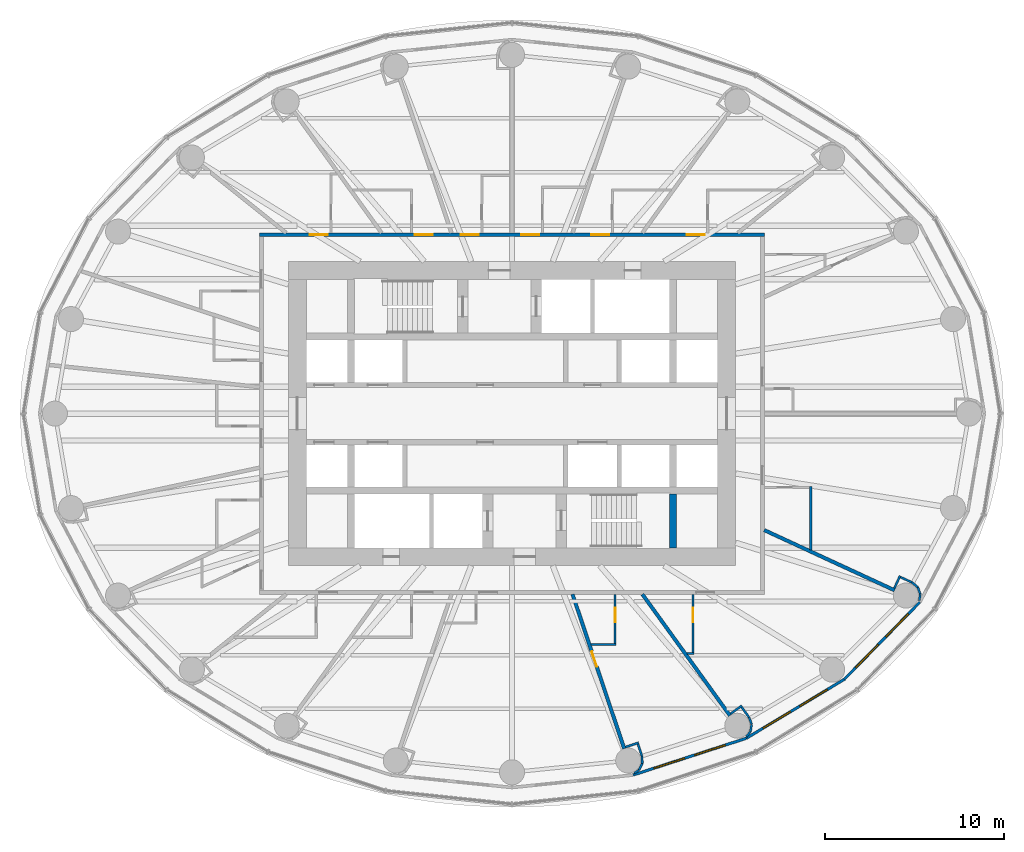
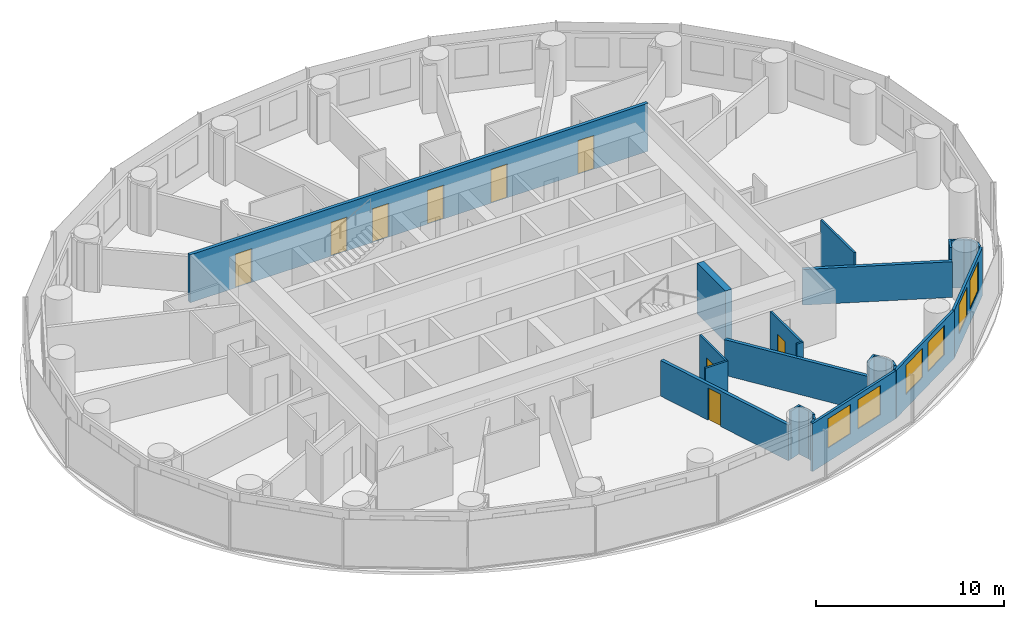
# One storey, part 9 of 13: 28 walls, 9 doors, 6 windows, 15 openings.
"""IFC4 building model written with IfcOpenShell, lengths in metres."""

from ifc_helpers import new_model, si_unit, direction, frame, frame_2d, origin, place, context, subcontext, project, spatial, rectangle, extrude, material, layer, layer_set, type_object, element, fill, save


model = new_model("IFC4")

# Units and contexts
model_context = context("Model", 3, precision=1e-05, world=origin(), true_north=direction((0.0, 1.0)))
body_context = subcontext(model_context, "Body", "Model", "MODEL_VIEW")
ifc_project = project(units=[si_unit("LENGTHUNIT", "METRE"), si_unit("AREAUNIT", "SQUARE_METRE"), si_unit("VOLUMEUNIT", "CUBIC_METRE"), si_unit("PLANEANGLEUNIT", "RADIAN"), si_unit("MASSUNIT", "GRAM", prefix="KILO")], contexts=[model_context])

# Site, building, storey
site_placement = place(None, origin())
site = spatial("IfcSite", under=ifc_project, at=site_placement, CompositionType="ELEMENT")
building_placement = place(site_placement, origin())
building = spatial("IfcBuilding", under=site, at=building_placement, Name="Hankou Lantern Tower", CompositionType="ELEMENT")
storey_placement = place(building_placement, frame((0.0, 0.0, 83.699951171875)))
storey = spatial("IfcBuildingStorey", under=building, at=storey_placement, Name="L21", CompositionType="ELEMENT", Elevation=83.699951171875)

# Wall
ifc_material_1 = material(Name="Concrete C60", Category="concrete")
ifc_layer_1 = layer(ifc_material_1, 0.39990234375)
ifc_layer_set_1 = layer_set([ifc_layer_1], Name="Concrete C60")
wall_type_1 = type_object("IfcWallType", Name="CW4 CORE CROSS WALL 400", PredefinedType="SHEAR", material=ifc_layer_set_1)
wall_1_placement = place(storey_placement, frame((9.0, -7.5, 0.0), z_axis=(0.0, 0.0, 1.0), x_axis=(0.0, 1.0, 0.0)))
element("IfcWall", 1, at=wall_1_placement, inside=storey, type_object=wall_type_1, Name="Core strip wall L21", PredefinedType="SHEAR", context=body_context, shape_type="SweptSolid", body=[
    extrude(rectangle(XDim=3.0, YDim=0.39990234375, at=frame_2d((1.5, 0.0))), origin(), (0.0, 0.0, 1.0), 3.300048828125),
])

# Wall, openings, windows
ifc_material_2 = material(Name="Aluminium spandrel panel on steel studs", Category="steel")
ifc_layer_2 = layer(ifc_material_2, 0.14990234375)
ifc_layer_set_2 = layer_set([ifc_layer_2], Name="Aluminium spandrel panel on steel studs")
wall_type_2 = type_object("IfcWallType", Name="EW1 INNER SKIN WALL 150", PredefinedType="ELEMENTEDWALL", material=ifc_layer_set_2)
wall_2_placement = place(storey_placement, frame((6.766357421875, -20.201904296875, 0.0), z_axis=(0.0, 0.0, 1.0), x_axis=(0.951137534625, 0.308767534285, 0.0)))
wall_2 = element("IfcWall", 2, at=wall_2_placement, inside=storey, type_object=wall_type_2, Name="Inner skin R20-R21 L21", PredefinedType="ELEMENTEDWALL", context=body_context, shape_type="SweptSolid", body=[
    extrude(rectangle(XDim=6.6552734375, YDim=0.14990234375, at=frame_2d((3.32763671875, 0.0))), origin(), (0.0, 0.0, 1.0), 3.1201171875),
])
opening_1_placement = place(wall_2_placement, frame((1.2275390625, 0.0, 0.89990234375)))
opening_1 = element("IfcOpeningElement", 3, at=opening_1_placement, cuts=wall_2, Name="Opening W1", PredefinedType="OPENING", context=body_context, shape_type="SweptSolid", body=[
    extrude(rectangle(XDim=1.800048828125, YDim=1.89990234375, at=frame_2d((0.89990234375, 0.949951171875))), frame((0.0, 0.0849609375, 0.0), z_axis=(0.0, -1.0, 0.0), x_axis=(1.0, 0.0, 0.0)), (0.0, 0.0, 1.0), 0.169921875),
])
opening_2_placement = place(wall_2_placement, frame((3.627685546875, 0.0, 0.89990234375)))
opening_2 = element("IfcOpeningElement", 4, at=opening_2_placement, cuts=wall_2, Name="Opening W1", PredefinedType="OPENING", context=body_context, shape_type="SweptSolid", body=[
    extrude(rectangle(XDim=1.800048828125, YDim=1.89990234375, at=frame_2d((0.89990234375, 0.949951171875))), frame((0.0, 0.0849609375, 0.0), z_axis=(0.0, -1.0, 0.0), x_axis=(1.0, 0.0, 0.0)), (0.0, 0.0, 1.0), 0.169921875),
])
ifc_material_3 = material(Name="Aluminium framed double glazed window", Category="aluminium")
window_type = type_object("IfcWindowType", Name="W1 GUEST ROOM WINDOW 1800X1900", PartitioningType="DOUBLE_PANEL_VERTICAL", PredefinedType="WINDOW", material=ifc_material_3)
window_1_placement = place(opening_1_placement, origin())
window_1 = element("IfcWindow", 5, at=window_1_placement, inside=storey, type_object=window_type, Name="Window R20.1 L21", OverallHeight=1.89990234375, OverallWidth=1.800048828125, PartitioningType="SINGLE_PANEL", PredefinedType="WINDOW", context=body_context, shape_type="SweptSolid", body=[
    extrude(rectangle(XDim=1.800048828125, YDim=1.89990234375, at=frame_2d((0.89990234375, 0.949951171875))), frame((0.0, 0.030029296875, 0.0), z_axis=(0.0, -1.0, 0.0), x_axis=(1.0, 0.0, 0.0)), (0.0, 0.0, 1.0), 0.06005859375),
])
fill(opening_1, window_1)
window_2_placement = place(opening_2_placement, origin())
window_2 = element("IfcWindow", 6, at=window_2_placement, inside=storey, type_object=window_type, Name="Window R20.2 L21", OverallHeight=1.89990234375, OverallWidth=1.800048828125, PartitioningType="SINGLE_PANEL", PredefinedType="WINDOW", context=body_context, shape_type="SweptSolid", body=[
    extrude(rectangle(XDim=1.800048828125, YDim=1.89990234375, at=frame_2d((0.89990234375, 0.949951171875))), frame((0.0, 0.030029296875, 0.0), z_axis=(0.0, -1.0, 0.0), x_axis=(1.0, 0.0, 0.0)), (0.0, 0.0, 1.0), 0.06005859375),
])
fill(opening_2, window_2)

wall_3_placement = place(storey_placement, frame((13.096435546875, -18.14697265625, 0.0), z_axis=(0.0, 0.0, 1.0), x_axis=(0.856983180864, 0.515344377787, 0.0)))
wall_3 = element("IfcWall", 7, at=wall_3_placement, inside=storey, type_object=wall_type_2, Name="Inner skin R21-R22 L21", PredefinedType="ELEMENTEDWALL", context=body_context, shape_type="SweptSolid", body=[
    extrude(rectangle(XDim=6.386474609375, YDim=0.14990234375, at=frame_2d((3.193359375, 0.0))), origin(), (0.0, 0.0, 1.0), 3.1201171875),
])
opening_3_placement = place(wall_3_placement, frame((1.09326171875, 0.0, 0.89990234375)))
opening_3 = element("IfcOpeningElement", 8, at=opening_3_placement, cuts=wall_3, Name="Opening W1", PredefinedType="OPENING", context=body_context, shape_type="SweptSolid", body=[
    extrude(rectangle(XDim=1.800048828125, YDim=1.89990234375, at=frame_2d((0.89990234375, 0.949951171875))), frame((0.0, 0.0849609375, 0.0), z_axis=(0.0, -1.0, 0.0), x_axis=(1.0, 0.0, 0.0)), (0.0, 0.0, 1.0), 0.169921875),
])
opening_4_placement = place(wall_3_placement, frame((3.4931640625, 0.0, 0.89990234375)))
opening_4 = element("IfcOpeningElement", 9, at=opening_4_placement, cuts=wall_3, Name="Opening W1", PredefinedType="OPENING", context=body_context, shape_type="SweptSolid", body=[
    extrude(rectangle(XDim=1.800048828125, YDim=1.89990234375, at=frame_2d((0.89990234375, 0.949951171875))), frame((0.0, 0.0849609375, 0.0), z_axis=(0.0, -1.0, 0.0), x_axis=(1.0, 0.0, 0.0)), (0.0, 0.0, 1.0), 0.169921875),
])
window_3_placement = place(opening_3_placement, origin())
window_3 = element("IfcWindow", 10, at=window_3_placement, inside=storey, type_object=window_type, Name="Window R21.1 L21", OverallHeight=1.89990234375, OverallWidth=1.800048828125, PartitioningType="SINGLE_PANEL", PredefinedType="WINDOW", context=body_context, shape_type="SweptSolid", body=[
    extrude(rectangle(XDim=1.800048828125, YDim=1.89990234375, at=frame_2d((0.89990234375, 0.949951171875))), frame((0.0, 0.030029296875, 0.0), z_axis=(0.0, -1.0, 0.0), x_axis=(1.0, 0.0, 0.0)), (0.0, 0.0, 1.0), 0.06005859375),
])
fill(opening_3, window_3)
window_4_placement = place(opening_4_placement, origin())
window_4 = element("IfcWindow", 11, at=window_4_placement, inside=storey, type_object=window_type, Name="Window R21.2 L21", OverallHeight=1.89990234375, OverallWidth=1.800048828125, PartitioningType="SINGLE_PANEL", PredefinedType="WINDOW", context=body_context, shape_type="SweptSolid", body=[
    extrude(rectangle(XDim=1.800048828125, YDim=1.89990234375, at=frame_2d((0.89990234375, 0.949951171875))), frame((0.0, 0.030029296875, 0.0), z_axis=(0.0, -1.0, 0.0), x_axis=(1.0, 0.0, 0.0)), (0.0, 0.0, 1.0), 0.06005859375),
])
fill(opening_4, window_4)

wall_4_placement = place(storey_placement, frame((18.569580078125, -14.855712890625, 0.0), z_axis=(0.0, 0.0, 1.0), x_axis=(0.699602905915, 0.714531856557, 0.0)))
wall_4 = element("IfcWall", 12, at=wall_4_placement, inside=storey, type_object=wall_type_2, Name="Inner skin R22-R23 L21", PredefinedType="ELEMENTEDWALL", context=body_context, shape_type="SweptSolid", body=[
    extrude(rectangle(XDim=6.05078125, YDim=0.14990234375, at=frame_2d((3.025390625, 0.0))), origin(), (0.0, 0.0, 1.0), 3.1201171875),
])
opening_5_placement = place(wall_4_placement, frame((0.925537109375, 0.0, 0.89990234375)))
opening_5 = element("IfcOpeningElement", 13, at=opening_5_placement, cuts=wall_4, Name="Opening W1", PredefinedType="OPENING", context=body_context, shape_type="SweptSolid", body=[
    extrude(rectangle(XDim=1.800048828125, YDim=1.89990234375, at=frame_2d((0.89990234375, 0.949951171875))), frame((0.0, 0.0849609375, 0.0), z_axis=(0.0, -1.0, 0.0), x_axis=(1.0, 0.0, 0.0)), (0.0, 0.0, 1.0), 0.169921875),
])
opening_6_placement = place(wall_4_placement, frame((3.325439453125, 0.0, 0.89990234375)))
opening_6 = element("IfcOpeningElement", 14, at=opening_6_placement, cuts=wall_4, Name="Opening W1", PredefinedType="OPENING", context=body_context, shape_type="SweptSolid", body=[
    extrude(rectangle(XDim=1.800048828125, YDim=1.89990234375, at=frame_2d((0.89990234375, 0.949951171875))), frame((0.0, 0.0849609375, 0.0), z_axis=(0.0, -1.0, 0.0), x_axis=(1.0, 0.0, 0.0)), (0.0, 0.0, 1.0), 0.169921875),
])
window_5_placement = place(opening_5_placement, origin())
window_5 = element("IfcWindow", 15, at=window_5_placement, inside=storey, type_object=window_type, Name="Window R22.1 L21", OverallHeight=1.89990234375, OverallWidth=1.800048828125, PartitioningType="SINGLE_PANEL", PredefinedType="WINDOW", context=body_context, shape_type="SweptSolid", body=[
    extrude(rectangle(XDim=1.800048828125, YDim=1.89990234375, at=frame_2d((0.89990234375, 0.949951171875))), frame((0.0, 0.030029296875, 0.0), z_axis=(0.0, -1.0, 0.0), x_axis=(1.0, 0.0, 0.0)), (0.0, 0.0, 1.0), 0.06005859375),
])
fill(opening_5, window_5)
window_6_placement = place(opening_6_placement, origin())
window_6 = element("IfcWindow", 16, at=window_6_placement, inside=storey, type_object=window_type, Name="Window R22.2 L21", OverallHeight=1.89990234375, OverallWidth=1.800048828125, PartitioningType="SINGLE_PANEL", PredefinedType="WINDOW", context=body_context, shape_type="SweptSolid", body=[
    extrude(rectangle(XDim=1.800048828125, YDim=1.89990234375, at=frame_2d((0.89990234375, 0.949951171875))), frame((0.0, 0.030029296875, 0.0), z_axis=(0.0, -1.0, 0.0), x_axis=(1.0, 0.0, 0.0)), (0.0, 0.0, 1.0), 0.06005859375),
])
fill(opening_6, window_6)

# Walls
ifc_material_4 = material(Name="Masonry lightweight concrete block", Category="masonry")
ifc_layer_3 = layer(ifc_material_4, 0.199951171875)
ifc_layer_set_3 = layer_set([ifc_layer_3], Name="Masonry lightweight concrete block")
wall_type_3 = type_object("IfcWallType", Name="IW1 GUEST ROOM PARTY WALL 200", PredefinedType="PARTITIONING", material=ifc_layer_set_3)
wall_5_placement = place(storey_placement, frame((7.2890625, -10.10009765625, 0.0), z_axis=(0.0, 0.0, 1.0), x_axis=(0.585198353053, -0.810890182197, 0.0)))
element("IfcWall", 17, at=wall_5_placement, inside=storey, type_object=wall_type_3, Name="Party wall R21", PredefinedType="PARTITIONING", context=body_context, shape_type="SweptSolid", body=[
    extrude(rectangle(XDim=8.359619140625, YDim=0.199951171875, at=frame_2d((4.1796875, 0.0))), origin(), (0.0, 0.0, 1.0), 2.320068359375),
])
wall_6_placement = place(storey_placement, frame((14.10009765625, -6.512451171875, 0.0), z_axis=(0.0, 0.0, 1.0), x_axis=(0.907832871056, -0.419332181247, 0.0)))
element("IfcWall", 18, at=wall_6_placement, inside=storey, type_object=wall_type_3, Name="Party wall R23", PredefinedType="PARTITIONING", context=body_context, shape_type="SweptSolid", body=[
    extrude(rectangle(XDim=8.02294921875, YDim=0.199951171875, at=frame_2d((4.011474609375, 0.0))), origin(), (0.0, 0.0, 1.0), 2.320068359375),
])

# Wall, openings, doors
ifc_material_5 = material(Name="Masonry lightweight concrete block", Category="masonry")
ifc_layer_4 = layer(ifc_material_5, 0.199951171875)
ifc_layer_set_4 = layer_set([ifc_layer_4], Name="Masonry lightweight concrete block")
wall_type_4 = type_object("IfcWallType", Name="IW2 CORRIDOR WALL 200", PredefinedType="PARTITIONING", material=ifc_layer_set_4)
wall_7_placement = place(storey_placement, frame((-14.10009765625, 10.0, 0.0), z_axis=(0.0, 0.0, 1.0), x_axis=(1.0, 0.0, 0.0)))
wall_7 = element("IfcWall", 19, at=wall_7_placement, inside=storey, type_object=wall_type_4, Name="Corridor wall north", PredefinedType="PARTITIONING", context=body_context, shape_type="SweptSolid", body=[
    extrude(rectangle(XDim=28.2001953125, YDim=0.199951171875, at=frame_2d((14.10009765625, 0.0))), origin(), (0.0, 0.0, 1.0), 3.1201171875),
])
opening_7_placement = place(wall_7_placement, frame((23.864990234375, 0.0, 0.0)))
opening_7 = element("IfcOpeningElement", 20, at=opening_7_placement, cuts=wall_7, Name="Opening D1", PredefinedType="OPENING", context=body_context, shape_type="SweptSolid", body=[
    extrude(rectangle(XDim=1.0, YDim=2.199951171875, at=frame_2d((0.5, 1.10009765625))), frame((0.0, 0.10986328125, 0.0), z_axis=(0.0, -1.0, 0.0), x_axis=(1.0, 0.0, 0.0)), (0.0, 0.0, 1.0), 0.219970703125),
])
opening_8_placement = place(wall_7_placement, frame((18.529052734375, 0.0, 0.0)))
opening_8 = element("IfcOpeningElement", 21, at=opening_8_placement, cuts=wall_7, Name="Opening D1", PredefinedType="OPENING", context=body_context, shape_type="SweptSolid", body=[
    extrude(rectangle(XDim=1.0, YDim=2.199951171875, at=frame_2d((0.5, 1.10009765625))), frame((0.0, 0.10986328125, 0.0), z_axis=(0.0, -1.0, 0.0), x_axis=(1.0, 0.0, 0.0)), (0.0, 0.0, 1.0), 0.219970703125),
])
opening_9_placement = place(wall_7_placement, frame((14.622802734375, 0.0, 0.0)))
opening_9 = element("IfcOpeningElement", 22, at=opening_9_placement, cuts=wall_7, Name="Opening D1", PredefinedType="OPENING", context=body_context, shape_type="SweptSolid", body=[
    extrude(rectangle(XDim=1.0, YDim=2.199951171875, at=frame_2d((0.5, 1.10009765625))), frame((0.0, 0.10986328125, 0.0), z_axis=(0.0, -1.0, 0.0), x_axis=(1.0, 0.0, 0.0)), (0.0, 0.0, 1.0), 0.219970703125),
])
opening_10_placement = place(wall_7_placement, frame((11.239990234375, 0.0, 0.0)))
opening_10 = element("IfcOpeningElement", 23, at=opening_10_placement, cuts=wall_7, Name="Opening D1", PredefinedType="OPENING", context=body_context, shape_type="SweptSolid", body=[
    extrude(rectangle(XDim=1.0, YDim=2.199951171875, at=frame_2d((0.5, 1.10009765625))), frame((0.0, 0.10986328125, 0.0), z_axis=(0.0, -1.0, 0.0), x_axis=(1.0, 0.0, 0.0)), (0.0, 0.0, 1.0), 0.219970703125),
])
opening_11_placement = place(wall_7_placement, frame((8.6708984375, 0.0, 0.0)))
opening_11 = element("IfcOpeningElement", 24, at=opening_11_placement, cuts=wall_7, Name="Opening D1", PredefinedType="OPENING", context=body_context, shape_type="SweptSolid", body=[
    extrude(rectangle(XDim=1.0, YDim=2.199951171875, at=frame_2d((0.5, 1.10009765625))), frame((0.0, 0.10986328125, 0.0), z_axis=(0.0, -1.0, 0.0), x_axis=(1.0, 0.0, 0.0)), (0.0, 0.0, 1.0), 0.219970703125),
])
opening_12_placement = place(wall_7_placement, frame((2.801025390625, 0.0, 0.0)))
opening_12 = element("IfcOpeningElement", 25, at=opening_12_placement, cuts=wall_7, Name="Opening D1", PredefinedType="OPENING", context=body_context, shape_type="SweptSolid", body=[
    extrude(rectangle(XDim=1.0, YDim=2.199951171875, at=frame_2d((0.5, 1.10009765625))), frame((0.0, 0.10986328125, 0.0), z_axis=(0.0, -1.0, 0.0), x_axis=(1.0, 0.0, 0.0)), (0.0, 0.0, 1.0), 0.219970703125),
])
ifc_material_6 = material(Name="Steel door leaf", Category="steel")
door_type_1 = type_object("IfcDoorType", Name="D1 GUEST ROOM DOOR 1000X2200", OperationType="SINGLE_SWING_LEFT", PredefinedType="DOOR", material=ifc_material_6)
door_1_placement = place(opening_7_placement, origin())
door_1 = element("IfcDoor", 26, at=door_1_placement, inside=storey, type_object=door_type_1, Name="Guest room door 2111", OperationType="SINGLE_SWING_RIGHT", OverallHeight=2.199951171875, OverallWidth=1.0, PredefinedType="DOOR", context=body_context, shape_type="SweptSolid", body=[
    extrude(rectangle(XDim=1.0, YDim=2.199951171875, at=frame_2d((0.5, 1.10009765625))), frame((0.0, 0.02490234375, 0.0), z_axis=(0.0, -1.0, 0.0), x_axis=(1.0, 0.0, 0.0)), (0.0, 0.0, 1.0), 0.050048828125),
])
fill(opening_7, door_1)
door_2_placement = place(opening_8_placement, origin())
door_2 = element("IfcDoor", 27, at=door_2_placement, inside=storey, type_object=door_type_1, Name="Guest room door 2112", OperationType="SINGLE_SWING_RIGHT", OverallHeight=2.199951171875, OverallWidth=1.0, PredefinedType="DOOR", context=body_context, shape_type="SweptSolid", body=[
    extrude(rectangle(XDim=1.0, YDim=2.199951171875, at=frame_2d((0.5, 1.10009765625))), frame((0.0, 0.02490234375, 0.0), z_axis=(0.0, -1.0, 0.0), x_axis=(1.0, 0.0, 0.0)), (0.0, 0.0, 1.0), 0.050048828125),
])
fill(opening_8, door_2)
door_3_placement = place(opening_9_placement, origin())
door_3 = element("IfcDoor", 28, at=door_3_placement, inside=storey, type_object=door_type_1, Name="Guest room door 2113", OperationType="SINGLE_SWING_RIGHT", OverallHeight=2.199951171875, OverallWidth=1.0, PredefinedType="DOOR", context=body_context, shape_type="SweptSolid", body=[
    extrude(rectangle(XDim=1.0, YDim=2.199951171875, at=frame_2d((0.5, 1.10009765625))), frame((0.0, 0.02490234375, 0.0), z_axis=(0.0, -1.0, 0.0), x_axis=(1.0, 0.0, 0.0)), (0.0, 0.0, 1.0), 0.050048828125),
])
fill(opening_9, door_3)
door_4_placement = place(opening_10_placement, origin())
door_4 = element("IfcDoor", 29, at=door_4_placement, inside=storey, type_object=door_type_1, Name="Guest room door 2114", OperationType="SINGLE_SWING_RIGHT", OverallHeight=2.199951171875, OverallWidth=1.0, PredefinedType="DOOR", context=body_context, shape_type="SweptSolid", body=[
    extrude(rectangle(XDim=1.0, YDim=2.199951171875, at=frame_2d((0.5, 1.10009765625))), frame((0.0, 0.02490234375, 0.0), z_axis=(0.0, -1.0, 0.0), x_axis=(1.0, 0.0, 0.0)), (0.0, 0.0, 1.0), 0.050048828125),
])
fill(opening_10, door_4)
door_5_placement = place(opening_11_placement, origin())
door_5 = element("IfcDoor", 30, at=door_5_placement, inside=storey, type_object=door_type_1, Name="Guest room door 2115", OperationType="SINGLE_SWING_LEFT", OverallHeight=2.199951171875, OverallWidth=1.0, PredefinedType="DOOR", context=body_context, shape_type="SweptSolid", body=[
    extrude(rectangle(XDim=1.0, YDim=2.199951171875, at=frame_2d((0.5, 1.10009765625))), frame((0.0, 0.02490234375, 0.0), z_axis=(0.0, -1.0, 0.0), x_axis=(1.0, 0.0, 0.0)), (0.0, 0.0, 1.0), 0.050048828125),
])
fill(opening_11, door_5)
door_6_placement = place(opening_12_placement, origin())
door_6 = element("IfcDoor", 31, at=door_6_placement, inside=storey, type_object=door_type_1, Name="Guest room door 2116", OperationType="SINGLE_SWING_RIGHT", OverallHeight=2.199951171875, OverallWidth=1.0, PredefinedType="DOOR", context=body_context, shape_type="SweptSolid", body=[
    extrude(rectangle(XDim=1.0, YDim=2.199951171875, at=frame_2d((0.5, 1.10009765625))), frame((0.0, 0.02490234375, 0.0), z_axis=(0.0, -1.0, 0.0), x_axis=(1.0, 0.0, 0.0)), (0.0, 0.0, 1.0), 0.050048828125),
])
fill(opening_12, door_6)

# Wall
ifc_material_7 = material(Name="Masonry lightweight concrete block", Category="masonry")
ifc_layer_5 = layer(ifc_material_7, 0.1201171875)
ifc_layer_set_5 = layer_set([ifc_layer_5], Name="Masonry lightweight concrete block")
wall_type_5 = type_object("IfcWallType", Name="IW3 BATHROOM WALL 120", PredefinedType="PARTITIONING", material=ifc_layer_set_5)
wall_8_placement = place(storey_placement, frame((4.420654296875, -12.89990234375, 0.0), z_axis=(0.0, 0.0, 1.0), x_axis=(1.0, 0.0, 0.0)))
element("IfcWall", 32, at=wall_8_placement, inside=storey, type_object=wall_type_5, Name="Box wall 2107A 1", PredefinedType="PARTITIONING", context=body_context, shape_type="SweptSolid", body=[
    extrude(rectangle(XDim=1.402099609375, YDim=0.1201171875, at=frame_2d((0.701171875, 0.0))), origin(), (0.0, 0.0, 1.0), 3.1201171875),
])

# Wall, opening, door
wall_9_placement = place(storey_placement, frame((5.762939453125, -10.10009765625, 0.0), z_axis=(0.0, 0.0, 1.0), x_axis=(0.0, -1.0, 0.0)))
wall_9 = element("IfcWall", 33, at=wall_9_placement, inside=storey, type_object=wall_type_5, Name="Box wall 2107A 1", PredefinedType="PARTITIONING", context=body_context, shape_type="SweptSolid", body=[
    extrude(rectangle(XDim=2.739990234375, YDim=0.1201171875, at=frame_2d((1.3701171875, 0.0))), origin(), (0.0, 0.0, 1.0), 3.1201171875),
])
opening_13_placement = place(wall_9_placement, frame((0.75, 0.0, 0.0)))
opening_13 = element("IfcOpeningElement", 34, at=opening_13_placement, cuts=wall_9, Name="Opening D3", PredefinedType="OPENING", context=body_context, shape_type="SweptSolid", body=[
    extrude(rectangle(XDim=0.800048828125, YDim=2.10009765625, at=frame_2d((0.39990234375, 1.050048828125))), frame((0.0, 0.070068359375, 0.0), z_axis=(0.0, -1.0, 0.0), x_axis=(1.0, 0.0, 0.0)), (0.0, 0.0, 1.0), 0.14013671875),
])
ifc_material_8 = material(Name="Timber door leaf", Category="wood")
door_type_2 = type_object("IfcDoorType", Name="D3 BATHROOM DOOR 800X2100", OperationType="SINGLE_SWING_LEFT", PredefinedType="DOOR", material=ifc_material_8)
door_7_placement = place(opening_13_placement, origin())
door_7 = element("IfcDoor", 35, at=door_7_placement, inside=storey, type_object=door_type_2, Name="Corner suite 2107 bathroom door", OperationType="SINGLE_SWING_LEFT", OverallHeight=2.10009765625, OverallWidth=0.800048828125, PredefinedType="DOOR", context=body_context, shape_type="SweptSolid", body=[
    extrude(rectangle(XDim=0.800048828125, YDim=2.10009765625, at=frame_2d((0.39990234375, 1.050048828125))), frame((0.0, 0.02490234375, 0.0), z_axis=(0.0, -1.0, 0.0), x_axis=(1.0, 0.0, 0.0)), (0.0, 0.0, 1.0), 0.050048828125),
])
fill(opening_13, door_7)

# Wall
wall_10_placement = place(storey_placement, frame((9.7705078125, -13.39990234375, 0.0), z_axis=(0.0, 0.0, 1.0), x_axis=(1.0, 0.0, 0.0)))
element("IfcWall", 36, at=wall_10_placement, inside=storey, type_object=wall_type_5, Name="Box wall 2108 1", PredefinedType="PARTITIONING", context=body_context, shape_type="SweptSolid", body=[
    extrude(rectangle(XDim=0.408447265625, YDim=0.1201171875, at=frame_2d((0.2041015625, 0.0))), origin(), (0.0, 0.0, 1.0), 3.1201171875),
])

# Wall, opening, door
wall_11_placement = place(storey_placement, frame((10.119140625, -10.10009765625, 0.0), z_axis=(0.0, 0.0, 1.0), x_axis=(0.0, -1.0, 0.0)))
wall_11 = element("IfcWall", 37, at=wall_11_placement, inside=storey, type_object=wall_type_5, Name="Box wall 2108 1", PredefinedType="PARTITIONING", context=body_context, shape_type="SweptSolid", body=[
    extrude(rectangle(XDim=3.239990234375, YDim=0.1201171875, at=frame_2d((1.6201171875, 0.0))), origin(), (0.0, 0.0, 1.0), 3.1201171875),
])
opening_14_placement = place(wall_11_placement, frame((0.75, 0.0, 0.0)))
opening_14 = element("IfcOpeningElement", 38, at=opening_14_placement, cuts=wall_11, Name="Opening D3", PredefinedType="OPENING", context=body_context, shape_type="SweptSolid", body=[
    extrude(rectangle(XDim=0.800048828125, YDim=2.10009765625, at=frame_2d((0.39990234375, 1.050048828125))), frame((0.0, 0.070068359375, 0.0), z_axis=(0.0, -1.0, 0.0), x_axis=(1.0, 0.0, 0.0)), (0.0, 0.0, 1.0), 0.14013671875),
])
door_8_placement = place(opening_14_placement, origin())
door_8 = element("IfcDoor", 39, at=door_8_placement, inside=storey, type_object=door_type_2, Name="Junior suite 2108 bathroom door", OperationType="SINGLE_SWING_LEFT", OverallHeight=2.10009765625, OverallWidth=0.800048828125, PredefinedType="DOOR", context=body_context, shape_type="SweptSolid", body=[
    extrude(rectangle(XDim=0.800048828125, YDim=2.10009765625, at=frame_2d((0.39990234375, 1.050048828125))), frame((0.0, 0.02490234375, 0.0), z_axis=(0.0, -1.0, 0.0), x_axis=(1.0, 0.0, 0.0)), (0.0, 0.0, 1.0), 0.050048828125),
])
fill(opening_14, door_8)

# Walls
wall_12_placement = place(storey_placement, frame((16.699951171875, -7.61328125, 0.0), z_axis=(0.0, 0.0, 1.0), x_axis=(0.0, 1.0, 0.0)))
element("IfcWall", 40, at=wall_12_placement, inside=storey, type_object=wall_type_5, Name="Box wall 2109 1", PredefinedType="PARTITIONING", context=body_context, shape_type="SweptSolid", body=[
    extrude(rectangle(XDim=3.540771484375, YDim=0.1201171875, at=frame_2d((1.7705078125, 0.0))), origin(), (0.0, 0.0, 1.0), 3.1201171875),
])
ifc_material_9 = material(Name="Masonry lightweight concrete block", Category="masonry")
ifc_layer_6 = layer(ifc_material_9, 0.1201171875)
ifc_layer_set_6 = layer_set([ifc_layer_6], Name="Masonry lightweight concrete block")
wall_type_6 = type_object("IfcWallType", Name="IW4 PARTITION 120", PredefinedType="PARTITIONING", material=ifc_layer_set_6)
wall_13_placement = place(storey_placement, frame((6.348388671875, -18.638916015625, 0.0), z_axis=(0.0, 0.0, 1.0), x_axis=(0.948268951266, 0.317468102437, 0.0)))
element("IfcWall", 41, at=wall_13_placement, inside=storey, type_object=wall_type_6, Name="Column casing R20 return", PredefinedType="PARTITIONING", context=body_context, shape_type="SweptSolid", body=[
    extrude(rectangle(XDim=0.767578125, YDim=0.1201171875, at=frame_2d((0.3837890625, 0.0))), origin(), (0.0, 0.0, 1.0), 3.1201171875),
])
wall_14_placement = place(storey_placement, frame((7.038330078125, -18.47119140625, 0.0), z_axis=(0.0, 0.0, 1.0), x_axis=(0.317378466199, -0.9482989556, 0.0)))
element("IfcWall", 42, at=wall_14_placement, inside=storey, type_object=wall_type_6, Name="Column casing R20", PredefinedType="PARTITIONING", context=body_context, shape_type="SweptSolid", body=[
    extrude(rectangle(XDim=0.699951171875, YDim=0.1201171875, at=frame_2d((0.35009765625, 0.0))), origin(), (0.0, 0.0, 1.0), 3.1201171875),
])
wall_15_placement = place(storey_placement, frame((7.260498046875, -19.135009765625, 0.0), z_axis=(0.0, 0.0, 1.0), x_axis=(0.0613238046, -0.99811792439, 0.0)))
element("IfcWall", 43, at=wall_15_placement, inside=storey, type_object=wall_type_6, Name="Column casing R20", PredefinedType="PARTITIONING", context=body_context, shape_type="SweptSolid", body=[
    extrude(rectangle(XDim=0.41796875, YDim=0.1201171875, at=frame_2d((0.208984375, 0.0))), origin(), (0.0, 0.0, 1.0), 3.1201171875),
])
wall_16_placement = place(storey_placement, frame((7.2861328125, -19.55224609375, 0.0), z_axis=(0.0, 0.0, 1.0), x_axis=(-0.445810757773, -0.89512723579, 0.0)))
element("IfcWall", 44, at=wall_16_placement, inside=storey, type_object=wall_type_6, Name="Column casing R20", PredefinedType="PARTITIONING", context=body_context, shape_type="SweptSolid", body=[
    extrude(rectangle(XDim=0.417724609375, YDim=0.1201171875, at=frame_2d((0.208984375, 0.0))), origin(), (0.0, 0.0, 1.0), 3.1201171875),
])
wall_17_placement = place(storey_placement, frame((7.099853515625, -19.92626953125, 0.0), z_axis=(0.0, 0.0, 1.0), x_axis=(-0.833488262509, -0.552537162787, 0.0)))
element("IfcWall", 45, at=wall_17_placement, inside=storey, type_object=wall_type_6, Name="Column casing R20", PredefinedType="PARTITIONING", context=body_context, shape_type="SweptSolid", body=[
    extrude(rectangle(XDim=0.312744140625, YDim=0.1201171875, at=frame_2d((0.15625, 0.0))), origin(), (0.0, 0.0, 1.0), 3.1201171875),
])
wall_18_placement = place(storey_placement, frame((12.227294921875, -16.771728515625, 0.0), z_axis=(0.0, 0.0, 1.0), x_axis=(0.810821798253, 0.585293098778, 0.0)))
element("IfcWall", 46, at=wall_18_placement, inside=storey, type_object=wall_type_6, Name="Column casing R21 return", PredefinedType="PARTITIONING", context=body_context, shape_type="SweptSolid", body=[
    extrude(rectangle(XDim=0.767578125, YDim=0.1201171875, at=frame_2d((0.3837890625, 0.0))), origin(), (0.0, 0.0, 1.0), 3.1201171875),
])
wall_19_placement = place(storey_placement, frame((12.8359375, -16.40625, 0.0), z_axis=(0.0, 0.0, 1.0), x_axis=(0.585223113993, -0.810872312296, 0.0)))
element("IfcWall", 47, at=wall_19_placement, inside=storey, type_object=wall_type_6, Name="Column casing R21", PredefinedType="PARTITIONING", context=body_context, shape_type="SweptSolid", body=[
    extrude(rectangle(XDim=0.699951171875, YDim=0.1201171875, at=frame_2d((0.35009765625, 0.0))), origin(), (0.0, 0.0, 1.0), 3.1201171875),
])
wall_20_placement = place(storey_placement, frame((13.24560546875, -16.973876953125, 0.0), z_axis=(0.0, 0.0, 1.0), x_axis=(0.355728122235, -0.934589483705, 0.0)))
element("IfcWall", 48, at=wall_20_placement, inside=storey, type_object=wall_type_6, Name="Column casing R21", PredefinedType="PARTITIONING", context=body_context, shape_type="SweptSolid", body=[
    extrude(rectangle(XDim=0.41796875, YDim=0.1201171875, at=frame_2d((0.208984375, 0.0))), origin(), (0.0, 0.0, 1.0), 3.1201171875),
])
wall_21_placement = place(storey_placement, frame((13.394287109375, -17.364501953125, 0.0), z_axis=(0.0, 0.0, 1.0), x_axis=(-0.159379276926, -0.987217425943, 0.0)))
element("IfcWall", 49, at=wall_21_placement, inside=storey, type_object=wall_type_6, Name="Column casing R21", PredefinedType="PARTITIONING", context=body_context, shape_type="SweptSolid", body=[
    extrude(rectangle(XDim=0.418212890625, YDim=0.1201171875, at=frame_2d((0.208984375, 0.0))), origin(), (0.0, 0.0, 1.0), 3.1201171875),
])
wall_22_placement = place(storey_placement, frame((13.32763671875, -17.77734375, 0.0), z_axis=(0.0, 0.0, 1.0), x_axis=(-0.632276783541, -0.774742582407, 0.0)))
element("IfcWall", 50, at=wall_22_placement, inside=storey, type_object=wall_type_6, Name="Column casing R21", PredefinedType="PARTITIONING", context=body_context, shape_type="SweptSolid", body=[
    extrude(rectangle(XDim=0.35986328125, YDim=0.1201171875, at=frame_2d((0.179931640625, 0.0))), origin(), (0.0, 0.0, 1.0), 3.1201171875),
])
wall_23_placement = place(storey_placement, frame((21.37109375, -9.7607421875, 0.0), z_axis=(0.0, 0.0, 1.0), x_axis=(0.419259891039, 0.907866258744, 0.0)))
element("IfcWall", 51, at=wall_23_placement, inside=storey, type_object=wall_type_6, Name="Column casing R23 return", PredefinedType="PARTITIONING", context=body_context, shape_type="SweptSolid", body=[
    extrude(rectangle(XDim=0.767578125, YDim=0.1201171875, at=frame_2d((0.3837890625, 0.0))), origin(), (0.0, 0.0, 1.0), 3.1201171875),
])
wall_24_placement = place(storey_placement, frame((21.72216796875, -9.1435546875, 0.0), z_axis=(0.0, 0.0, 1.0), x_axis=(0.907877701396, -0.419235112208, 0.0)))
element("IfcWall", 52, at=wall_24_placement, inside=storey, type_object=wall_type_6, Name="Column casing R23", PredefinedType="PARTITIONING", context=body_context, shape_type="SweptSolid", body=[
    extrude(rectangle(XDim=0.699951171875, YDim=0.1201171875, at=frame_2d((0.35009765625, 0.0))), origin(), (0.0, 0.0, 1.0), 3.1201171875),
])
wall_25_placement = place(storey_placement, frame((22.357666015625, -9.43701171875, 0.0), z_axis=(0.0, 0.0, 1.0), x_axis=(0.768412687942, -0.639954639806, 0.0)))
element("IfcWall", 53, at=wall_25_placement, inside=storey, type_object=wall_type_6, Name="Column casing R23", PredefinedType="PARTITIONING", context=body_context, shape_type="SweptSolid", body=[
    extrude(rectangle(XDim=0.418212890625, YDim=0.1201171875, at=frame_2d((0.208984375, 0.0))), origin(), (0.0, 0.0, 1.0), 3.1201171875),
])
wall_26_placement = place(storey_placement, frame((22.678955078125, -9.70458984375, 0.0), z_axis=(0.0, 0.0, 1.0), x_axis=(0.345164001646, -0.938542386879, 0.0)))
element("IfcWall", 54, at=wall_26_placement, inside=storey, type_object=wall_type_6, Name="Column casing R23", PredefinedType="PARTITIONING", context=body_context, shape_type="SweptSolid", body=[
    extrude(rectangle(XDim=0.41796875, YDim=0.1201171875, at=frame_2d((0.208984375, 0.0))), origin(), (0.0, 0.0, 1.0), 3.1201171875),
])
wall_27_placement = place(storey_placement, frame((22.8232421875, -10.096923828125, 0.0), z_axis=(0.0, 0.0, 1.0), x_axis=(-0.169674995186, -0.985500074079, 0.0)))
element("IfcWall", 55, at=wall_27_placement, inside=storey, type_object=wall_type_6, Name="Column casing R23", PredefinedType="PARTITIONING", context=body_context, shape_type="SweptSolid", body=[
    extrude(rectangle(XDim=0.3525390625, YDim=0.1201171875, at=frame_2d((0.17626953125, 0.0))), origin(), (0.0, 0.0, 1.0), 3.1201171875),
])

# Wall, opening, door
ifc_material_10 = material(Name="Masonry lightweight concrete block", Category="masonry")
ifc_layer_7 = layer(ifc_material_10, 0.199951171875)
ifc_layer_set_7 = layer_set([ifc_layer_7], Name="Masonry lightweight concrete block")
wall_type_7 = type_object("IfcWallType", Name="IW6 SUITE PARTITION 200", PredefinedType="PARTITIONING", material=ifc_layer_set_7)
wall_28_placement = place(storey_placement, frame((3.3828125, -10.10009765625, 0.0), z_axis=(0.0, 0.0, 1.0), x_axis=(0.31759592231, -0.948226149256, 0.0)))
wall_28 = element("IfcWall", 56, at=wall_28_placement, inside=storey, type_object=wall_type_7, Name="Suite partition R20", PredefinedType="PARTITIONING", context=body_context, shape_type="SweptSolid", body=[
    extrude(rectangle(XDim=9.098388671875, YDim=0.199951171875, at=frame_2d((4.54931640625, 0.0))), origin(), (0.0, 0.0, 1.0), 2.320068359375),
])
opening_15_placement = place(wall_28_placement, frame((3.3701171875, 0.0, 0.0)))
opening_15 = element("IfcOpeningElement", 57, at=opening_15_placement, cuts=wall_28, Name="Opening D27", PredefinedType="OPENING", context=body_context, shape_type="SweptSolid", body=[
    extrude(rectangle(XDim=0.89990234375, YDim=2.10009765625, at=frame_2d((0.449951171875, 1.050048828125))), frame((0.0, 0.10986328125, 0.0), z_axis=(0.0, -1.0, 0.0), x_axis=(1.0, 0.0, 0.0)), (0.0, 0.0, 1.0), 0.219970703125),
])
ifc_material_11 = material(Name="Timber door leaf", Category="wood")
door_type_3 = type_object("IfcDoorType", Name="D27 INTERNAL DOOR 900X2100", OperationType="SINGLE_SWING_LEFT", PredefinedType="DOOR", material=ifc_material_11)
door_9_placement = place(opening_15_placement, origin())
door_9 = element("IfcDoor", 58, at=door_9_placement, inside=storey, type_object=door_type_3, Name="Corner suite 2107 bedroom door", OperationType="SINGLE_SWING_LEFT", OverallHeight=2.10009765625, OverallWidth=0.89990234375, PredefinedType="DOOR", context=body_context, shape_type="SweptSolid", body=[
    extrude(rectangle(XDim=0.89990234375, YDim=2.10009765625, at=frame_2d((0.449951171875, 1.050048828125))), frame((0.0, 0.02490234375, 0.0), z_axis=(0.0, -1.0, 0.0), x_axis=(1.0, 0.0, 0.0)), (0.0, 0.0, 1.0), 0.050048828125),
])
fill(opening_15, door_9)

save(model, "model.ifc")
